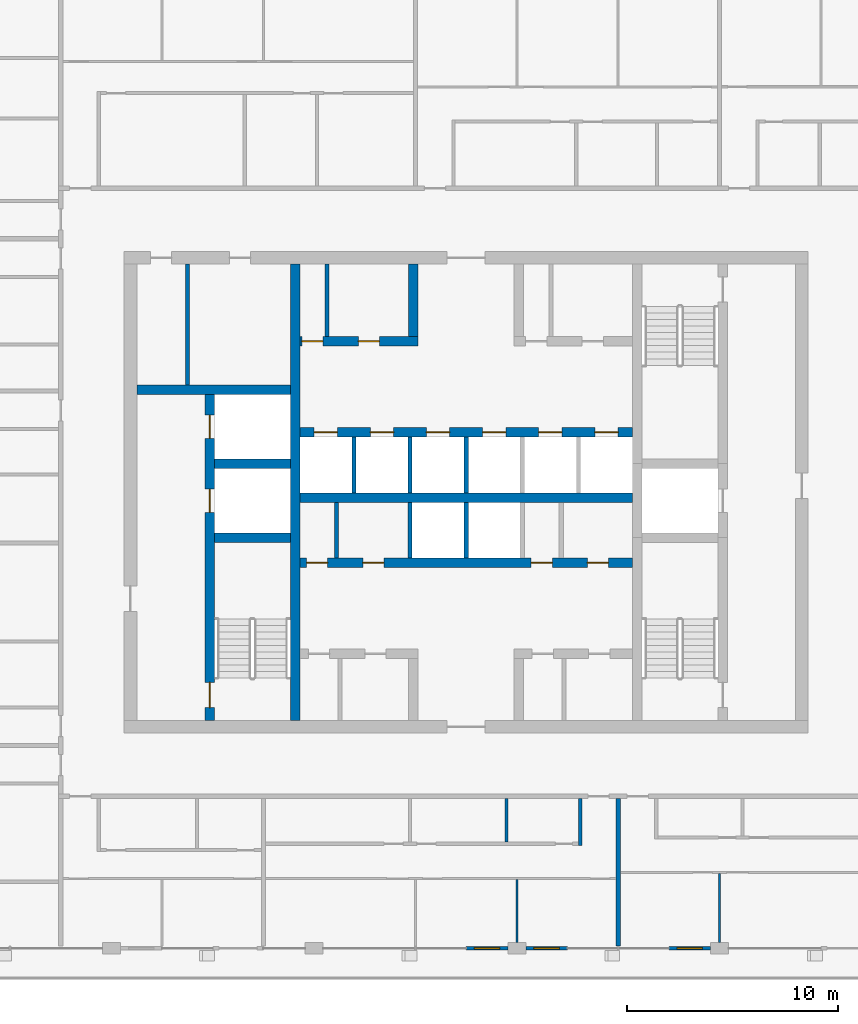
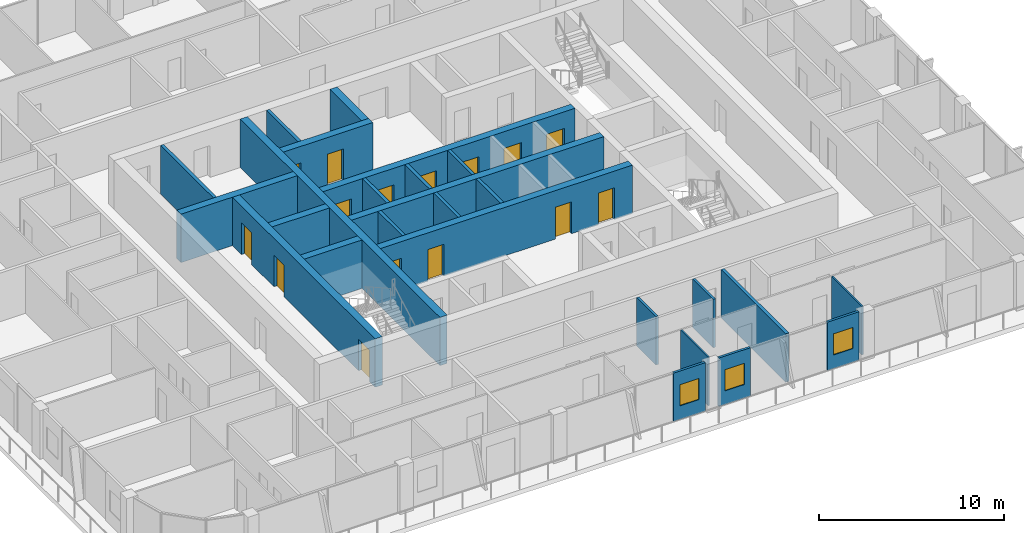
# One storey, part 11 of 22: 26 walls, 15 doors, 3 windows, 18 openings.
"""IFC4 building model written with IfcOpenShell, lengths in metres."""

from ifc_helpers import new_model, si_unit, direction, frame, frame_2d, origin, place, context, subcontext, project, spatial, rectangle, extrude, material, layer, layer_set, type_object, element, fill, save


model = new_model("IFC4")

# Units and contexts
model_context = context("Model", 3, precision=1e-05, world=origin(), true_north=direction((0.0, 1.0)))
body_context = subcontext(model_context, "Body", "Model", "MODEL_VIEW")
ifc_project = project(units=[si_unit("LENGTHUNIT", "METRE"), si_unit("AREAUNIT", "SQUARE_METRE"), si_unit("VOLUMEUNIT", "CUBIC_METRE"), si_unit("PLANEANGLEUNIT", "RADIAN"), si_unit("MASSUNIT", "GRAM", prefix="KILO")], contexts=[model_context])

# Site, building, storey
site_placement = place(None, origin())
site = spatial("IfcSite", under=ifc_project, at=site_placement, CompositionType="ELEMENT")
building_placement = place(site_placement, origin())
building = spatial("IfcBuilding", under=site, at=building_placement, Name="Madar Terraces", CompositionType="ELEMENT")
storey_placement = place(building_placement, frame((0.0, 0.0, 256.199951171875)))
storey = spatial("IfcBuildingStorey", under=building, at=storey_placement, Name="L67", CompositionType="ELEMENT", Elevation=256.199951171875)

# Wall, openings, doors
ifc_material_1 = material(Name="Concrete C55/67", Category="concrete")
ifc_layer_1 = layer(ifc_material_1, 0.449951171875)
ifc_layer_set_1 = layer_set([ifc_layer_1], Name="Concrete C55/67 (CIW5 RC wall 450)")
wall_type_1 = type_object("IfcWallType", Name="CIW5 RC wall 450", PredefinedType="SHEAR", material=ifc_layer_set_1)
wall_1_placement = place(storey_placement, frame((19.050048828125, 15.60009765625, 0.0), z_axis=(0.0, 0.0, 1.0), x_axis=(0.0, 1.0, 0.0)))
wall_1 = element("IfcWall", 1, at=wall_1_placement, inside=storey, type_object=wall_type_1, Name="CORE SHAFT WALL", PredefinedType="SHEAR", context=body_context, shape_type="SweptSolid", body=[
    extrude(rectangle(XDim=15.4248046875, YDim=0.449951171875, at=frame_2d((7.71240234375, 0.0))), origin(), (0.0, 0.0, 1.0), 3.199951171875),
])
opening_1_placement = place(wall_1_placement, frame((9.85009765625, 0.0, 0.0)))
opening_1 = element("IfcOpeningElement", 2, at=opening_1_placement, cuts=wall_1, Name="Opening LD", PredefinedType="OPENING", context=body_context, shape_type="SweptSolid", body=[
    extrude(rectangle(XDim=1.10009765625, YDim=2.10009765625, at=frame_2d((0.550048828125, 1.050048828125))), frame((0.0, 0.23486328125, 0.0), z_axis=(0.0, -1.0, 0.0), x_axis=(1.0, 0.0, 0.0)), (0.0, 0.0, 1.0), 0.469970703125),
])
opening_2_placement = place(wall_1_placement, frame((13.35009765625, 0.0, 0.0)))
opening_2 = element("IfcOpeningElement", 3, at=opening_2_placement, cuts=wall_1, Name="Opening LD", PredefinedType="OPENING", context=body_context, shape_type="SweptSolid", body=[
    extrude(rectangle(XDim=1.10009765625, YDim=2.10009765625, at=frame_2d((0.550048828125, 1.050048828125))), frame((0.0, 0.23486328125, 0.0), z_axis=(0.0, -1.0, 0.0), x_axis=(1.0, 0.0, 0.0)), (0.0, 0.0, 1.0), 0.469970703125),
])
opening_3_placement = place(wall_1_placement, frame((0.60009765625, 0.0, 0.0)))
opening_3 = element("IfcOpeningElement", 4, at=opening_3_placement, cuts=wall_1, Name="Opening SD1", PredefinedType="OPENING", context=body_context, shape_type="SweptSolid", body=[
    extrude(rectangle(XDim=1.199951171875, YDim=2.10009765625, at=frame_2d((0.60009765625, 1.050048828125))), frame((0.0, 0.23486328125, 0.0), z_axis=(0.0, -1.0, 0.0), x_axis=(1.0, 0.0, 0.0)), (0.0, 0.0, 1.0), 0.469970703125),
])
ifc_material_2 = material(Name="Stainless steel panel", Category="steel")
door_type_1 = type_object("IfcDoorType", Name="Lift landing door 1100 x 2100", OperationType="DOUBLE_DOOR_SLIDING", PredefinedType="DOOR", material=ifc_material_2)
door_1_placement = place(opening_1_placement, origin())
door_1 = element("IfcDoor", 5, at=door_1_placement, inside=storey, type_object=door_type_1, Name="LIFT LANDING DOOR", OperationType="DOUBLE_DOOR_SLIDING", OverallHeight=2.10009765625, OverallWidth=1.10009765625, PredefinedType="DOOR", context=body_context, shape_type="SweptSolid", body=[
    extrude(rectangle(XDim=1.10009765625, YDim=2.10009765625, at=frame_2d((0.550048828125, 1.050048828125))), frame((0.0, 0.02490234375, 0.0), z_axis=(0.0, -1.0, 0.0), x_axis=(1.0, 0.0, 0.0)), (0.0, 0.0, 1.0), 0.050048828125),
])
fill(opening_1, door_1)
door_2_placement = place(opening_2_placement, origin())
door_2 = element("IfcDoor", 6, at=door_2_placement, inside=storey, type_object=door_type_1, Name="LIFT LANDING DOOR", OperationType="DOUBLE_DOOR_SLIDING", OverallHeight=2.10009765625, OverallWidth=1.10009765625, PredefinedType="DOOR", context=body_context, shape_type="SweptSolid", body=[
    extrude(rectangle(XDim=1.10009765625, YDim=2.10009765625, at=frame_2d((0.550048828125, 1.050048828125))), frame((0.0, 0.02490234375, 0.0), z_axis=(0.0, -1.0, 0.0), x_axis=(1.0, 0.0, 0.0)), (0.0, 0.0, 1.0), 0.050048828125),
])
fill(opening_2, door_2)
ifc_material_3 = material(Name="Steel door leaf", Category="steel")
door_type_2 = type_object("IfcDoorType", Name="Stair door 1200 x 2100", OperationType="NOTDEFINED", PredefinedType="DOOR", material=ifc_material_3)
door_3_placement = place(opening_3_placement, frame((1.199951171875, 0.0, 0.0), z_axis=(0.0, 0.0, 1.0), x_axis=(-1.0, 0.0, 0.0)))
door_3 = element("IfcDoor", 7, at=door_3_placement, inside=storey, type_object=door_type_2, Name="STAIR DOOR", OperationType="SINGLE_SWING_LEFT", OverallHeight=2.10009765625, OverallWidth=1.199951171875, PredefinedType="DOOR", context=body_context, shape_type="SweptSolid", body=[
    extrude(rectangle(XDim=1.199951171875, YDim=2.10009765625, at=frame_2d((0.60009765625, 1.050048828125))), frame((0.0, 0.02490234375, 0.0), z_axis=(0.0, -1.0, 0.0), x_axis=(1.0, 0.0, 0.0)), (0.0, 0.0, 1.0), 0.050048828125),
])
fill(opening_3, door_3)

# Walls
wall_2_placement = place(storey_placement, frame((23.10009765625, 15.60009765625, 0.0), z_axis=(0.0, 0.0, 1.0), x_axis=(0.0, 1.0, 0.0)))
element("IfcWall", 8, at=wall_2_placement, inside=storey, type_object=wall_type_1, Name="CORE SHAFT WALL", PredefinedType="SHEAR", context=body_context, shape_type="SweptSolid", body=[
    extrude(rectangle(XDim=21.599853515625, YDim=0.449951171875, at=frame_2d((10.7998046875, 0.0))), origin(), (0.0, 0.0, 1.0), 3.199951171875),
])
for number, where, z_axis, x_axis, name in (
    (9, (19.27490234375, 24.25, 0.0), (0.0, 0.0, 1.0), (1.0, 0.0, 0.0), "CORE SHAFT WALL"),
    (10, (19.27490234375, 27.75, 0.0), (0.0, 0.0, 1.0), (1.0, 0.0, 0.0), "CORE SHAFT WALL"),
):
    element("IfcWall", number, at=place(storey_placement, frame(where, z_axis=z_axis, x_axis=x_axis)), inside=storey, type_object=wall_type_1, Name=name, PredefinedType="SHEAR", context=body_context, shape_type="SweptSolid", body=[
        extrude(rectangle(XDim=3.60009765625, YDim=0.449951171875, at=frame_2d((1.800048828125, 0.0))), origin(), (0.0, 0.0, 1.0), 3.199951171875),
    ])
wall_3_placement = place(storey_placement, frame((15.60009765625, 31.25, 0.0), z_axis=(0.0, 0.0, 1.0), x_axis=(1.0, 0.0, 0.0)))
element("IfcWall", 11, at=wall_3_placement, inside=storey, type_object=wall_type_1, Name="CORE SHAFT WALL", PredefinedType="SHEAR", context=body_context, shape_type="SweptSolid", body=[
    extrude(rectangle(XDim=7.27490234375, YDim=0.449951171875, at=frame_2d((3.637451171875, 0.0))), origin(), (0.0, 0.0, 1.0), 3.199951171875),
])

# Wall, openings, doors
wall_4_placement = place(storey_placement, frame((23.324951171875, 23.050048828125, 0.0), z_axis=(0.0, 0.0, 1.0), x_axis=(1.0, 0.0, 0.0)))
wall_4 = element("IfcWall", 12, at=wall_4_placement, inside=storey, type_object=wall_type_1, Name="CORE SHAFT WALL", PredefinedType="SHEAR", context=body_context, shape_type="SweptSolid", body=[
    extrude(rectangle(XDim=15.75, YDim=0.449951171875, at=frame_2d((7.875, 0.0))), origin(), (0.0, 0.0, 1.0), 3.199951171875),
])
opening_4_placement = place(wall_4_placement, frame((0.31982421875, 0.0, 0.0)))
opening_4 = element("IfcOpeningElement", 13, at=opening_4_placement, cuts=wall_4, Name="Opening KD2", PredefinedType="OPENING", context=body_context, shape_type="SweptSolid", body=[
    extrude(rectangle(XDim=1.0, YDim=2.10009765625, at=frame_2d((0.5, 1.050048828125))), frame((0.0, 0.23486328125, 0.0), z_axis=(0.0, -1.0, 0.0), x_axis=(1.0, 0.0, 0.0)), (0.0, 0.0, 1.0), 0.469970703125),
])
opening_5_placement = place(wall_4_placement, frame((2.978271484375, 0.0, 0.0)))
opening_5 = element("IfcOpeningElement", 14, at=opening_5_placement, cuts=wall_4, Name="Opening KD2", PredefinedType="OPENING", context=body_context, shape_type="SweptSolid", body=[
    extrude(rectangle(XDim=1.0, YDim=2.10009765625, at=frame_2d((0.5, 1.050048828125))), frame((0.0, 0.23486328125, 0.0), z_axis=(0.0, -1.0, 0.0), x_axis=(1.0, 0.0, 0.0)), (0.0, 0.0, 1.0), 0.469970703125),
])
opening_6_placement = place(wall_4_placement, frame((10.953125, 0.0, 0.0)))
opening_6 = element("IfcOpeningElement", 15, at=opening_6_placement, cuts=wall_4, Name="Opening KD2", PredefinedType="OPENING", context=body_context, shape_type="SweptSolid", body=[
    extrude(rectangle(XDim=1.0, YDim=2.10009765625, at=frame_2d((0.5, 1.050048828125))), frame((0.0, 0.23486328125, 0.0), z_axis=(0.0, -1.0, 0.0), x_axis=(1.0, 0.0, 0.0)), (0.0, 0.0, 1.0), 0.469970703125),
])
opening_7_placement = place(wall_4_placement, frame((13.611572265625, 0.0, 0.0)))
opening_7 = element("IfcOpeningElement", 16, at=opening_7_placement, cuts=wall_4, Name="Opening KD2", PredefinedType="OPENING", context=body_context, shape_type="SweptSolid", body=[
    extrude(rectangle(XDim=1.0, YDim=2.10009765625, at=frame_2d((0.5, 1.050048828125))), frame((0.0, 0.23486328125, 0.0), z_axis=(0.0, -1.0, 0.0), x_axis=(1.0, 0.0, 0.0)), (0.0, 0.0, 1.0), 0.469970703125),
])
ifc_material_4 = material(Name="Steel door leaf", Category="steel")
door_type_3 = type_object("IfcDoorType", Name="Service room door 1000 x 2100", OperationType="NOTDEFINED", PredefinedType="DOOR", material=ifc_material_4)
door_4_placement = place(opening_4_placement, frame((1.0, 0.0, 0.0), z_axis=(0.0, 0.0, 1.0), x_axis=(-1.0, 0.0, 0.0)))
door_4 = element("IfcDoor", 17, at=door_4_placement, inside=storey, type_object=door_type_3, Name="SERVICE ROOM DOOR", OperationType="SINGLE_SWING_RIGHT", OverallHeight=2.10009765625, OverallWidth=1.0, PredefinedType="DOOR", context=body_context, shape_type="SweptSolid", body=[
    extrude(rectangle(XDim=1.0, YDim=2.10009765625, at=frame_2d((0.5, 1.050048828125))), frame((0.0, 0.02490234375, 0.0), z_axis=(0.0, -1.0, 0.0), x_axis=(1.0, 0.0, 0.0)), (0.0, 0.0, 1.0), 0.050048828125),
])
fill(opening_4, door_4)
door_5_placement = place(opening_5_placement, frame((1.0, 0.0, 0.0), z_axis=(0.0, 0.0, 1.0), x_axis=(-1.0, 0.0, 0.0)))
door_5 = element("IfcDoor", 18, at=door_5_placement, inside=storey, type_object=door_type_3, Name="SERVICE ROOM DOOR", OperationType="SINGLE_SWING_LEFT", OverallHeight=2.10009765625, OverallWidth=1.0, PredefinedType="DOOR", context=body_context, shape_type="SweptSolid", body=[
    extrude(rectangle(XDim=1.0, YDim=2.10009765625, at=frame_2d((0.5, 1.050048828125))), frame((0.0, 0.02490234375, 0.0), z_axis=(0.0, -1.0, 0.0), x_axis=(1.0, 0.0, 0.0)), (0.0, 0.0, 1.0), 0.050048828125),
])
fill(opening_5, door_5)
door_6_placement = place(opening_6_placement, frame((1.0, 0.0, 0.0), z_axis=(0.0, 0.0, 1.0), x_axis=(-1.0, 0.0, 0.0)))
door_6 = element("IfcDoor", 19, at=door_6_placement, inside=storey, type_object=door_type_3, Name="SERVICE ROOM DOOR", OperationType="SINGLE_SWING_RIGHT", OverallHeight=2.10009765625, OverallWidth=1.0, PredefinedType="DOOR", context=body_context, shape_type="SweptSolid", body=[
    extrude(rectangle(XDim=1.0, YDim=2.10009765625, at=frame_2d((0.5, 1.050048828125))), frame((0.0, 0.02490234375, 0.0), z_axis=(0.0, -1.0, 0.0), x_axis=(1.0, 0.0, 0.0)), (0.0, 0.0, 1.0), 0.050048828125),
])
fill(opening_6, door_6)
door_7_placement = place(opening_7_placement, frame((1.0, 0.0, 0.0), z_axis=(0.0, 0.0, 1.0), x_axis=(-1.0, 0.0, 0.0)))
door_7 = element("IfcDoor", 20, at=door_7_placement, inside=storey, type_object=door_type_3, Name="SERVICE ROOM DOOR", OperationType="SINGLE_SWING_LEFT", OverallHeight=2.10009765625, OverallWidth=1.0, PredefinedType="DOOR", context=body_context, shape_type="SweptSolid", body=[
    extrude(rectangle(XDim=1.0, YDim=2.10009765625, at=frame_2d((0.5, 1.050048828125))), frame((0.0, 0.02490234375, 0.0), z_axis=(0.0, -1.0, 0.0), x_axis=(1.0, 0.0, 0.0)), (0.0, 0.0, 1.0), 0.050048828125),
])
fill(opening_7, door_7)

# Wall
wall_5_placement = place(storey_placement, frame((23.324951171875, 26.14990234375, 0.0), z_axis=(0.0, 0.0, 1.0), x_axis=(1.0, 0.0, 0.0)))
element("IfcWall", 21, at=wall_5_placement, inside=storey, type_object=wall_type_1, Name="CORE SHAFT WALL", PredefinedType="SHEAR", context=body_context, shape_type="SweptSolid", body=[
    extrude(rectangle(XDim=15.75, YDim=0.449951171875, at=frame_2d((7.875, 0.0))), origin(), (0.0, 0.0, 1.0), 3.199951171875),
])

# Wall, openings, doors
wall_6_placement = place(storey_placement, frame((23.324951171875, 29.25, 0.0), z_axis=(0.0, 0.0, 1.0), x_axis=(1.0, 0.0, 0.0)))
wall_6 = element("IfcWall", 22, at=wall_6_placement, inside=storey, type_object=wall_type_1, Name="CORE SHAFT WALL", PredefinedType="SHEAR", context=body_context, shape_type="SweptSolid", body=[
    extrude(rectangle(XDim=15.75, YDim=0.449951171875, at=frame_2d((7.875, 0.0))), origin(), (0.0, 0.0, 1.0), 3.199951171875),
])
opening_8_placement = place(wall_6_placement, frame((0.67919921875, 0.0, 0.0)))
opening_8 = element("IfcOpeningElement", 23, at=opening_8_placement, cuts=wall_6, Name="Opening LD", PredefinedType="OPENING", context=body_context, shape_type="SweptSolid", body=[
    extrude(rectangle(XDim=1.10009765625, YDim=2.10009765625, at=frame_2d((0.550048828125, 1.050048828125))), frame((0.0, 0.23486328125, 0.0), z_axis=(0.0, -1.0, 0.0), x_axis=(1.0, 0.0, 0.0)), (0.0, 0.0, 1.0), 0.469970703125),
])
opening_9_placement = place(wall_6_placement, frame((3.33740234375, 0.0, 0.0)))
opening_9 = element("IfcOpeningElement", 24, at=opening_9_placement, cuts=wall_6, Name="Opening LD", PredefinedType="OPENING", context=body_context, shape_type="SweptSolid", body=[
    extrude(rectangle(XDim=1.10009765625, YDim=2.10009765625, at=frame_2d((0.550048828125, 1.050048828125))), frame((0.0, 0.23486328125, 0.0), z_axis=(0.0, -1.0, 0.0), x_axis=(1.0, 0.0, 0.0)), (0.0, 0.0, 1.0), 0.469970703125),
])
opening_10_placement = place(wall_6_placement, frame((5.995849609375, 0.0, 0.0)))
opening_10 = element("IfcOpeningElement", 25, at=opening_10_placement, cuts=wall_6, Name="Opening LD", PredefinedType="OPENING", context=body_context, shape_type="SweptSolid", body=[
    extrude(rectangle(XDim=1.10009765625, YDim=2.10009765625, at=frame_2d((0.550048828125, 1.050048828125))), frame((0.0, 0.23486328125, 0.0), z_axis=(0.0, -1.0, 0.0), x_axis=(1.0, 0.0, 0.0)), (0.0, 0.0, 1.0), 0.469970703125),
])
opening_11_placement = place(wall_6_placement, frame((8.654052734375, 0.0, 0.0)))
opening_11 = element("IfcOpeningElement", 26, at=opening_11_placement, cuts=wall_6, Name="Opening LD", PredefinedType="OPENING", context=body_context, shape_type="SweptSolid", body=[
    extrude(rectangle(XDim=1.10009765625, YDim=2.10009765625, at=frame_2d((0.550048828125, 1.050048828125))), frame((0.0, 0.23486328125, 0.0), z_axis=(0.0, -1.0, 0.0), x_axis=(1.0, 0.0, 0.0)), (0.0, 0.0, 1.0), 0.469970703125),
])
opening_12_placement = place(wall_6_placement, frame((11.3125, 0.0, 0.0)))
opening_12 = element("IfcOpeningElement", 27, at=opening_12_placement, cuts=wall_6, Name="Opening LD", PredefinedType="OPENING", context=body_context, shape_type="SweptSolid", body=[
    extrude(rectangle(XDim=1.10009765625, YDim=2.10009765625, at=frame_2d((0.550048828125, 1.050048828125))), frame((0.0, 0.23486328125, 0.0), z_axis=(0.0, -1.0, 0.0), x_axis=(1.0, 0.0, 0.0)), (0.0, 0.0, 1.0), 0.469970703125),
])
opening_13_placement = place(wall_6_placement, frame((13.970947265625, 0.0, 0.0)))
opening_13 = element("IfcOpeningElement", 28, at=opening_13_placement, cuts=wall_6, Name="Opening LD", PredefinedType="OPENING", context=body_context, shape_type="SweptSolid", body=[
    extrude(rectangle(XDim=1.10009765625, YDim=2.10009765625, at=frame_2d((0.550048828125, 1.050048828125))), frame((0.0, 0.23486328125, 0.0), z_axis=(0.0, -1.0, 0.0), x_axis=(1.0, 0.0, 0.0)), (0.0, 0.0, 1.0), 0.469970703125),
])
door_8_placement = place(opening_8_placement, origin())
door_8 = element("IfcDoor", 29, at=door_8_placement, inside=storey, type_object=door_type_1, Name="LIFT LANDING DOOR", OperationType="DOUBLE_DOOR_SLIDING", OverallHeight=2.10009765625, OverallWidth=1.10009765625, PredefinedType="DOOR", context=body_context, shape_type="SweptSolid", body=[
    extrude(rectangle(XDim=1.10009765625, YDim=2.10009765625, at=frame_2d((0.550048828125, 1.050048828125))), frame((0.0, 0.02490234375, 0.0), z_axis=(0.0, -1.0, 0.0), x_axis=(1.0, 0.0, 0.0)), (0.0, 0.0, 1.0), 0.050048828125),
])
fill(opening_8, door_8)
door_9_placement = place(opening_9_placement, origin())
door_9 = element("IfcDoor", 30, at=door_9_placement, inside=storey, type_object=door_type_1, Name="LIFT LANDING DOOR", OperationType="DOUBLE_DOOR_SLIDING", OverallHeight=2.10009765625, OverallWidth=1.10009765625, PredefinedType="DOOR", context=body_context, shape_type="SweptSolid", body=[
    extrude(rectangle(XDim=1.10009765625, YDim=2.10009765625, at=frame_2d((0.550048828125, 1.050048828125))), frame((0.0, 0.02490234375, 0.0), z_axis=(0.0, -1.0, 0.0), x_axis=(1.0, 0.0, 0.0)), (0.0, 0.0, 1.0), 0.050048828125),
])
fill(opening_9, door_9)
door_10_placement = place(opening_10_placement, origin())
door_10 = element("IfcDoor", 31, at=door_10_placement, inside=storey, type_object=door_type_1, Name="LIFT LANDING DOOR", OperationType="DOUBLE_DOOR_SLIDING", OverallHeight=2.10009765625, OverallWidth=1.10009765625, PredefinedType="DOOR", context=body_context, shape_type="SweptSolid", body=[
    extrude(rectangle(XDim=1.10009765625, YDim=2.10009765625, at=frame_2d((0.550048828125, 1.050048828125))), frame((0.0, 0.02490234375, 0.0), z_axis=(0.0, -1.0, 0.0), x_axis=(1.0, 0.0, 0.0)), (0.0, 0.0, 1.0), 0.050048828125),
])
fill(opening_10, door_10)
door_11_placement = place(opening_11_placement, origin())
door_11 = element("IfcDoor", 32, at=door_11_placement, inside=storey, type_object=door_type_1, Name="LIFT LANDING DOOR", OperationType="DOUBLE_DOOR_SLIDING", OverallHeight=2.10009765625, OverallWidth=1.10009765625, PredefinedType="DOOR", context=body_context, shape_type="SweptSolid", body=[
    extrude(rectangle(XDim=1.10009765625, YDim=2.10009765625, at=frame_2d((0.550048828125, 1.050048828125))), frame((0.0, 0.02490234375, 0.0), z_axis=(0.0, -1.0, 0.0), x_axis=(1.0, 0.0, 0.0)), (0.0, 0.0, 1.0), 0.050048828125),
])
fill(opening_11, door_11)
door_12_placement = place(opening_12_placement, origin())
door_12 = element("IfcDoor", 33, at=door_12_placement, inside=storey, type_object=door_type_1, Name="LIFT LANDING DOOR", OperationType="DOUBLE_DOOR_SLIDING", OverallHeight=2.10009765625, OverallWidth=1.10009765625, PredefinedType="DOOR", context=body_context, shape_type="SweptSolid", body=[
    extrude(rectangle(XDim=1.10009765625, YDim=2.10009765625, at=frame_2d((0.550048828125, 1.050048828125))), frame((0.0, 0.02490234375, 0.0), z_axis=(0.0, -1.0, 0.0), x_axis=(1.0, 0.0, 0.0)), (0.0, 0.0, 1.0), 0.050048828125),
])
fill(opening_12, door_12)
door_13_placement = place(opening_13_placement, origin())
door_13 = element("IfcDoor", 34, at=door_13_placement, inside=storey, type_object=door_type_1, Name="LIFT LANDING DOOR", OperationType="DOUBLE_DOOR_SLIDING", OverallHeight=2.10009765625, OverallWidth=1.10009765625, PredefinedType="DOOR", context=body_context, shape_type="SweptSolid", body=[
    extrude(rectangle(XDim=1.10009765625, YDim=2.10009765625, at=frame_2d((0.550048828125, 1.050048828125))), frame((0.0, 0.02490234375, 0.0), z_axis=(0.0, -1.0, 0.0), x_axis=(1.0, 0.0, 0.0)), (0.0, 0.0, 1.0), 0.050048828125),
])
fill(opening_13, door_13)

wall_7_placement = place(storey_placement, frame((23.324951171875, 33.550048828125, 0.0), z_axis=(0.0, 0.0, 1.0), x_axis=(1.0, 0.0, 0.0)))
wall_7 = element("IfcWall", 35, at=wall_7_placement, inside=storey, type_object=wall_type_1, Name="CORE SHAFT WALL", PredefinedType="SHEAR", context=body_context, shape_type="SweptSolid", body=[
    extrude(rectangle(XDim=5.60009765625, YDim=0.449951171875, at=frame_2d((2.800048828125, 0.0))), origin(), (0.0, 0.0, 1.0), 3.199951171875),
])
opening_14_placement = place(wall_7_placement, frame((0.09375, 0.0, 0.0)))
opening_14 = element("IfcOpeningElement", 36, at=opening_14_placement, cuts=wall_7, Name="Opening KD2", PredefinedType="OPENING", context=body_context, shape_type="SweptSolid", body=[
    extrude(rectangle(XDim=1.0, YDim=2.10009765625, at=frame_2d((0.5, 1.050048828125))), frame((0.0, 0.23486328125, 0.0), z_axis=(0.0, -1.0, 0.0), x_axis=(1.0, 0.0, 0.0)), (0.0, 0.0, 1.0), 0.469970703125),
])
opening_15_placement = place(wall_7_placement, frame((2.768798828125, 0.0, 0.0)))
opening_15 = element("IfcOpeningElement", 37, at=opening_15_placement, cuts=wall_7, Name="Opening KD2", PredefinedType="OPENING", context=body_context, shape_type="SweptSolid", body=[
    extrude(rectangle(XDim=1.0, YDim=2.10009765625, at=frame_2d((0.5, 1.050048828125))), frame((0.0, 0.23486328125, 0.0), z_axis=(0.0, -1.0, 0.0), x_axis=(1.0, 0.0, 0.0)), (0.0, 0.0, 1.0), 0.469970703125),
])
door_14_placement = place(opening_14_placement, frame((1.0, 0.0, 0.0), z_axis=(0.0, 0.0, 1.0), x_axis=(-1.0, 0.0, 0.0)))
door_14 = element("IfcDoor", 38, at=door_14_placement, inside=storey, type_object=door_type_3, Name="SERVICE ROOM DOOR", OperationType="SINGLE_SWING_RIGHT", OverallHeight=2.10009765625, OverallWidth=1.0, PredefinedType="DOOR", context=body_context, shape_type="SweptSolid", body=[
    extrude(rectangle(XDim=1.0, YDim=2.10009765625, at=frame_2d((0.5, 1.050048828125))), frame((0.0, 0.02490234375, 0.0), z_axis=(0.0, -1.0, 0.0), x_axis=(1.0, 0.0, 0.0)), (0.0, 0.0, 1.0), 0.050048828125),
])
fill(opening_14, door_14)
door_15_placement = place(opening_15_placement, frame((1.0, 0.0, 0.0), z_axis=(0.0, 0.0, 1.0), x_axis=(-1.0, 0.0, 0.0)))
door_15 = element("IfcDoor", 39, at=door_15_placement, inside=storey, type_object=door_type_3, Name="SERVICE ROOM DOOR", OperationType="SINGLE_SWING_LEFT", OverallHeight=2.10009765625, OverallWidth=1.0, PredefinedType="DOOR", context=body_context, shape_type="SweptSolid", body=[
    extrude(rectangle(XDim=1.0, YDim=2.10009765625, at=frame_2d((0.5, 1.050048828125))), frame((0.0, 0.02490234375, 0.0), z_axis=(0.0, -1.0, 0.0), x_axis=(1.0, 0.0, 0.0)), (0.0, 0.0, 1.0), 0.050048828125),
])
fill(opening_15, door_15)

# Walls
wall_8_placement = place(storey_placement, frame((28.699951171875, 33.77490234375, 0.0), z_axis=(0.0, 0.0, 1.0), x_axis=(0.0, 1.0, 0.0)))
element("IfcWall", 40, at=wall_8_placement, inside=storey, type_object=wall_type_1, Name="CORE SHAFT WALL", PredefinedType="SHEAR", context=body_context, shape_type="SweptSolid", body=[
    extrude(rectangle(XDim=3.425048828125, YDim=0.449951171875, at=frame_2d((1.71240234375, 0.0))), origin(), (0.0, 0.0, 1.0), 3.199951171875),
])
ifc_material_5 = material(Name="Masonry blockwork", Category="masonry")
ifc_layer_2 = layer(ifc_material_5, 0.199951171875)
ifc_layer_set_2 = layer_set([ifc_layer_2], Name="Core partition 200 blockwork")
wall_type_2 = type_object("IfcWallType", Name="Core partition 200 blockwork", PredefinedType="PARTITIONING", material=ifc_layer_set_2)
wall_9_placement = place(storey_placement, frame((18.000732421875, 31.47509765625, 0.0), z_axis=(0.0, 0.0, 1.0), x_axis=(0.0, 1.0, 0.0)))
element("IfcWall", 41, at=wall_9_placement, inside=storey, type_object=wall_type_2, Name="SERVICE ROOM PARTITION", PredefinedType="PARTITIONING", context=body_context, shape_type="SweptSolid", body=[
    extrude(rectangle(XDim=5.724853515625, YDim=0.199951171875, at=frame_2d((2.8623046875, 0.0))), origin(), (0.0, 0.0, 1.0), 3.199951171875),
])
wall_10_placement = place(storey_placement, frame((25.064697265625, 23.27490234375, 0.0), z_axis=(0.0, 0.0, 1.0), x_axis=(0.0, 1.0, 0.0)))
element("IfcWall", 42, at=wall_10_placement, inside=storey, type_object=wall_type_2, Name="SERVICE ROOM PARTITION", PredefinedType="PARTITIONING", context=body_context, shape_type="SweptSolid", body=[
    extrude(rectangle(XDim=2.650146484375, YDim=0.199951171875, at=frame_2d((1.3251953125, 0.0))), origin(), (0.0, 0.0, 1.0), 3.199951171875),
])
wall_11_placement = place(storey_placement, frame((24.612548828125, 33.77490234375, 0.0), z_axis=(0.0, 0.0, 1.0), x_axis=(0.0, 1.0, 0.0)))
element("IfcWall", 43, at=wall_11_placement, inside=storey, type_object=wall_type_2, Name="SERVICE ROOM PARTITION", PredefinedType="PARTITIONING", context=body_context, shape_type="SweptSolid", body=[
    extrude(rectangle(XDim=3.425048828125, YDim=0.199951171875, at=frame_2d((1.71240234375, 0.0))), origin(), (0.0, 0.0, 1.0), 3.199951171875),
])
ifc_material_6 = material(Name="Concrete C40/50", Category="concrete")
ifc_layer_3 = layer(ifc_material_6, 0.199951171875)
ifc_layer_set_3 = layer_set([ifc_layer_3], Name="Core shaft dividing wall 200 C40/50")
wall_type_3 = type_object("IfcWallType", Name="Core shaft dividing wall 200 C40/50", PredefinedType="SOLIDWALL", material=ifc_layer_set_3)
wall_12_placement = place(storey_placement, frame((25.88330078125, 26.375, 0.0), z_axis=(0.0, 0.0, 1.0), x_axis=(0.0, 1.0, 0.0)))
element("IfcWall", 44, at=wall_12_placement, inside=storey, type_object=wall_type_3, Name="SHAFT DIVIDING WALL", PredefinedType="SOLIDWALL", context=body_context, shape_type="SweptSolid", body=[
    extrude(rectangle(XDim=2.64990234375, YDim=0.199951171875, at=frame_2d((1.324951171875, 0.0))), origin(), (0.0, 0.0, 1.0), 3.199951171875),
])
wall_13_placement = place(storey_placement, frame((28.541748046875, 23.27490234375, 0.0), z_axis=(0.0, 0.0, 1.0), x_axis=(0.0, 1.0, 0.0)))
element("IfcWall", 45, at=wall_13_placement, inside=storey, type_object=wall_type_3, Name="SHAFT DIVIDING WALL", PredefinedType="SOLIDWALL", context=body_context, shape_type="SweptSolid", body=[
    extrude(rectangle(XDim=2.650146484375, YDim=0.199951171875, at=frame_2d((1.3251953125, 0.0))), origin(), (0.0, 0.0, 1.0), 3.199951171875),
])
wall_14_placement = place(storey_placement, frame((28.541748046875, 26.375, 0.0), z_axis=(0.0, 0.0, 1.0), x_axis=(0.0, 1.0, 0.0)))
element("IfcWall", 46, at=wall_14_placement, inside=storey, type_object=wall_type_3, Name="SHAFT DIVIDING WALL", PredefinedType="SOLIDWALL", context=body_context, shape_type="SweptSolid", body=[
    extrude(rectangle(XDim=2.64990234375, YDim=0.199951171875, at=frame_2d((1.324951171875, 0.0))), origin(), (0.0, 0.0, 1.0), 3.199951171875),
])
wall_15_placement = place(storey_placement, frame((31.199951171875, 23.27490234375, 0.0), z_axis=(0.0, 0.0, 1.0), x_axis=(0.0, 1.0, 0.0)))
element("IfcWall", 47, at=wall_15_placement, inside=storey, type_object=wall_type_3, Name="SHAFT DIVIDING WALL", PredefinedType="SOLIDWALL", context=body_context, shape_type="SweptSolid", body=[
    extrude(rectangle(XDim=2.650146484375, YDim=0.199951171875, at=frame_2d((1.3251953125, 0.0))), origin(), (0.0, 0.0, 1.0), 3.199951171875),
])
wall_16_placement = place(storey_placement, frame((31.199951171875, 26.375, 0.0), z_axis=(0.0, 0.0, 1.0), x_axis=(0.0, 1.0, 0.0)))
element("IfcWall", 48, at=wall_16_placement, inside=storey, type_object=wall_type_3, Name="SHAFT DIVIDING WALL", PredefinedType="SOLIDWALL", context=body_context, shape_type="SweptSolid", body=[
    extrude(rectangle(XDim=2.64990234375, YDim=0.199951171875, at=frame_2d((1.324951171875, 0.0))), origin(), (0.0, 0.0, 1.0), 3.199951171875),
])

# Wall, opening, window
ifc_material_7 = material(Name="Aluminium composite panel, black, over insulated backing", Category="aluminium")
ifc_layer_4 = layer(ifc_material_7, 0.14990234375)
ifc_layer_set_4 = layer_set([ifc_layer_4], Name="Facade bay panel 150")
wall_type_4 = type_object("IfcWallType", Name="Facade bay panel 150", PredefinedType="SOLIDWALL", material=ifc_layer_set_4)
wall_17_placement = place(storey_placement, frame((31.199951171875, 4.800048828125, 0.0), z_axis=(0.0, 0.0, 1.0), x_axis=(1.0, 0.0, 0.0)))
wall_17 = element("IfcWall", 49, at=wall_17_placement, inside=storey, type_object=wall_type_4, Name="Facade bay panel", PredefinedType="SOLIDWALL", context=body_context, shape_type="SweptSolid", body=[
    extrude(rectangle(XDim=1.97509765625, YDim=0.14990234375, at=frame_2d((0.987548828125, 0.0))), origin(), (0.0, 0.0, 1.0), 3.199951171875),
])
opening_16_placement = place(wall_17_placement, frame((0.387451171875, 0.0, 0.89990234375)))
opening_16 = element("IfcOpeningElement", 50, at=opening_16_placement, cuts=wall_17, Name="Opening W1", PredefinedType="OPENING", context=body_context, shape_type="SweptSolid", body=[
    extrude(rectangle(XDim=1.199951171875, YDim=1.39990234375, at=frame_2d((0.60009765625, 0.699951171875))), frame((0.0, 0.0849609375, 0.0), z_axis=(0.0, -1.0, 0.0), x_axis=(1.0, 0.0, 0.0)), (0.0, 0.0, 1.0), 0.169921875),
])
ifc_material_8 = material(Name="Glass, clear, with black aluminium frame", Category="aluminium")
window_type = type_object("IfcWindowType", Name="Vent window 1200 x 1400", PartitioningType="SINGLE_PANEL", PredefinedType="WINDOW", material=ifc_material_8)
window_1_placement = place(opening_16_placement, origin())
window_1 = element("IfcWindow", 51, at=window_1_placement, inside=storey, type_object=window_type, Name="Operable vent window", OverallHeight=1.39990234375, OverallWidth=1.199951171875, PartitioningType="SINGLE_PANEL", PredefinedType="WINDOW", context=body_context, shape_type="SweptSolid", body=[
    extrude(rectangle(XDim=1.199951171875, YDim=1.39990234375, at=frame_2d((0.60009765625, 0.699951171875))), frame((0.0, 0.030029296875, 0.0), z_axis=(0.0, -1.0, 0.0), x_axis=(1.0, 0.0, 0.0)), (0.0, 0.0, 1.0), 0.06005859375),
])
fill(opening_16, window_1)

wall_18_placement = place(storey_placement, frame((34.02490234375, 4.800048828125, 0.0), z_axis=(0.0, 0.0, 1.0), x_axis=(1.0, 0.0, 0.0)))
wall_18 = element("IfcWall", 52, at=wall_18_placement, inside=storey, type_object=wall_type_4, Name="Facade bay panel", PredefinedType="SOLIDWALL", context=body_context, shape_type="SweptSolid", body=[
    extrude(rectangle(XDim=1.97509765625, YDim=0.14990234375, at=frame_2d((0.987548828125, 0.0))), origin(), (0.0, 0.0, 1.0), 3.199951171875),
])
opening_17_placement = place(wall_18_placement, frame((0.387451171875, 0.0, 0.89990234375)))
opening_17 = element("IfcOpeningElement", 53, at=opening_17_placement, cuts=wall_18, Name="Opening W1", PredefinedType="OPENING", context=body_context, shape_type="SweptSolid", body=[
    extrude(rectangle(XDim=1.199951171875, YDim=1.39990234375, at=frame_2d((0.60009765625, 0.699951171875))), frame((0.0, 0.0849609375, 0.0), z_axis=(0.0, -1.0, 0.0), x_axis=(1.0, 0.0, 0.0)), (0.0, 0.0, 1.0), 0.169921875),
])
window_2_placement = place(opening_17_placement, origin())
window_2 = element("IfcWindow", 54, at=window_2_placement, inside=storey, type_object=window_type, Name="Operable vent window", OverallHeight=1.39990234375, OverallWidth=1.199951171875, PartitioningType="SINGLE_PANEL", PredefinedType="WINDOW", context=body_context, shape_type="SweptSolid", body=[
    extrude(rectangle(XDim=1.199951171875, YDim=1.39990234375, at=frame_2d((0.60009765625, 0.699951171875))), frame((0.0, 0.030029296875, 0.0), z_axis=(0.0, -1.0, 0.0), x_axis=(1.0, 0.0, 0.0)), (0.0, 0.0, 1.0), 0.06005859375),
])
fill(opening_17, window_2)

wall_19_placement = place(storey_placement, frame((40.800048828125, 4.800048828125, 0.0), z_axis=(0.0, 0.0, 1.0), x_axis=(1.0, 0.0, 0.0)))
wall_19 = element("IfcWall", 55, at=wall_19_placement, inside=storey, type_object=wall_type_4, Name="Facade bay panel", PredefinedType="SOLIDWALL", context=body_context, shape_type="SweptSolid", body=[
    extrude(rectangle(XDim=1.974853515625, YDim=0.14990234375, at=frame_2d((0.9873046875, 0.0))), origin(), (0.0, 0.0, 1.0), 3.199951171875),
])
opening_18_placement = place(wall_19_placement, frame((0.387451171875, 0.0, 0.89990234375)))
opening_18 = element("IfcOpeningElement", 56, at=opening_18_placement, cuts=wall_19, Name="Opening W1", PredefinedType="OPENING", context=body_context, shape_type="SweptSolid", body=[
    extrude(rectangle(XDim=1.199951171875, YDim=1.39990234375, at=frame_2d((0.60009765625, 0.699951171875))), frame((0.0, 0.0849609375, 0.0), z_axis=(0.0, -1.0, 0.0), x_axis=(1.0, 0.0, 0.0)), (0.0, 0.0, 1.0), 0.169921875),
])
window_3_placement = place(opening_18_placement, origin())
window_3 = element("IfcWindow", 57, at=window_3_placement, inside=storey, type_object=window_type, Name="Operable vent window", OverallHeight=1.39990234375, OverallWidth=1.199951171875, PartitioningType="SINGLE_PANEL", PredefinedType="WINDOW", context=body_context, shape_type="SweptSolid", body=[
    extrude(rectangle(XDim=1.199951171875, YDim=1.39990234375, at=frame_2d((0.60009765625, 0.699951171875))), frame((0.0, 0.030029296875, 0.0), z_axis=(0.0, -1.0, 0.0), x_axis=(1.0, 0.0, 0.0)), (0.0, 0.0, 1.0), 0.06005859375),
])
fill(opening_18, window_3)

# Walls
ifc_material_9 = material(Name="Gypsum board on steel studs", Category="steel")
ifc_layer_5 = layer(ifc_material_9, 0.10009765625)
ifc_layer_set_5 = layer_set([ifc_layer_5], Name="Flat partition 100")
wall_type_5 = type_object("IfcWallType", Name="Flat partition 100", PredefinedType="PARTITIONING", material=ifc_layer_set_5)
wall_20_placement = place(storey_placement, frame((33.60009765625, 8.050048828125, 0.0), z_axis=(0.0, 0.0, 1.0), x_axis=(0.0, -1.0, 0.0)))
element("IfcWall", 58, at=wall_20_placement, inside=storey, type_object=wall_type_5, Name="Flat partition 100", PredefinedType="PARTITIONING", context=body_context, shape_type="SweptSolid", body=[
    extrude(rectangle(XDim=2.97509765625, YDim=0.10009765625, at=frame_2d((1.487548828125, 0.0))), origin(), (0.0, 0.0, 1.0), 3.199951171875),
])
wall_21_placement = place(storey_placement, frame((43.199951171875, 8.35009765625, 0.0), z_axis=(0.0, 0.0, 1.0), x_axis=(0.0, -1.0, 0.0)))
element("IfcWall", 59, at=wall_21_placement, inside=storey, type_object=wall_type_5, Name="Flat partition 100", PredefinedType="PARTITIONING", context=body_context, shape_type="SweptSolid", body=[
    extrude(rectangle(XDim=3.275146484375, YDim=0.10009765625, at=frame_2d((1.6376953125, 0.0))), origin(), (0.0, 0.0, 1.0), 3.199951171875),
])
ifc_material_10 = material(Name="Lightweight blockwork", Category="masonry")
ifc_layer_6 = layer(ifc_material_10, 0.199951171875)
ifc_layer_set_6 = layer_set([ifc_layer_6], Name="Flat party and entrance wall 200")
wall_type_6 = type_object("IfcWallType", Name="Flat party and entrance wall 200", PredefinedType="PARTITIONING", material=ifc_layer_set_6)
wall_22_placement = place(storey_placement, frame((38.39990234375, 11.89990234375, 0.0), z_axis=(0.0, 0.0, 1.0), x_axis=(0.0, -1.0, 0.0)))
element("IfcWall", 60, at=wall_22_placement, inside=storey, type_object=wall_type_6, Name="Flat party and entrance wall 200", PredefinedType="PARTITIONING", context=body_context, shape_type="SweptSolid", body=[
    extrude(rectangle(XDim=7.0, YDim=0.199951171875, at=frame_2d((3.5, 0.0))), origin(), (0.0, 0.0, 1.0), 3.199951171875),
])
ifc_material_11 = material(Name="Lightweight blockwork", Category="masonry")
ifc_layer_7 = layer(ifc_material_11, 0.14990234375)
ifc_layer_set_7 = layer_set([ifc_layer_7], Name="Flat wet-room partition 150")
wall_type_7 = type_object("IfcWallType", Name="Flat wet-room partition 150", PredefinedType="PARTITIONING", material=ifc_layer_set_7)
wall_23_placement = place(storey_placement, frame((33.103759765625, 11.89990234375, 0.0), z_axis=(0.0, 0.0, 1.0), x_axis=(0.0, -1.0, 0.0)))
element("IfcWall", 61, at=wall_23_placement, inside=storey, type_object=wall_type_7, Name="Flat wet-room partition 150", PredefinedType="PARTITIONING", context=body_context, shape_type="SweptSolid", body=[
    extrude(rectangle(XDim=2.074951171875, YDim=0.14990234375, at=frame_2d((1.03759765625, 0.0))), origin(), (0.0, 0.0, 1.0), 3.199951171875),
])
wall_24_placement = place(storey_placement, frame((36.60009765625, 11.89990234375, 0.0), z_axis=(0.0, 0.0, 1.0), x_axis=(0.0, -1.0, 0.0)))
element("IfcWall", 62, at=wall_24_placement, inside=storey, type_object=wall_type_7, Name="Flat wet-room partition 150", PredefinedType="PARTITIONING", context=body_context, shape_type="SweptSolid", body=[
    extrude(rectangle(XDim=2.224853515625, YDim=0.14990234375, at=frame_2d((1.1123046875, 0.0))), origin(), (0.0, 0.0, 1.0), 3.199951171875),
])

save(model, "model.ifc")
